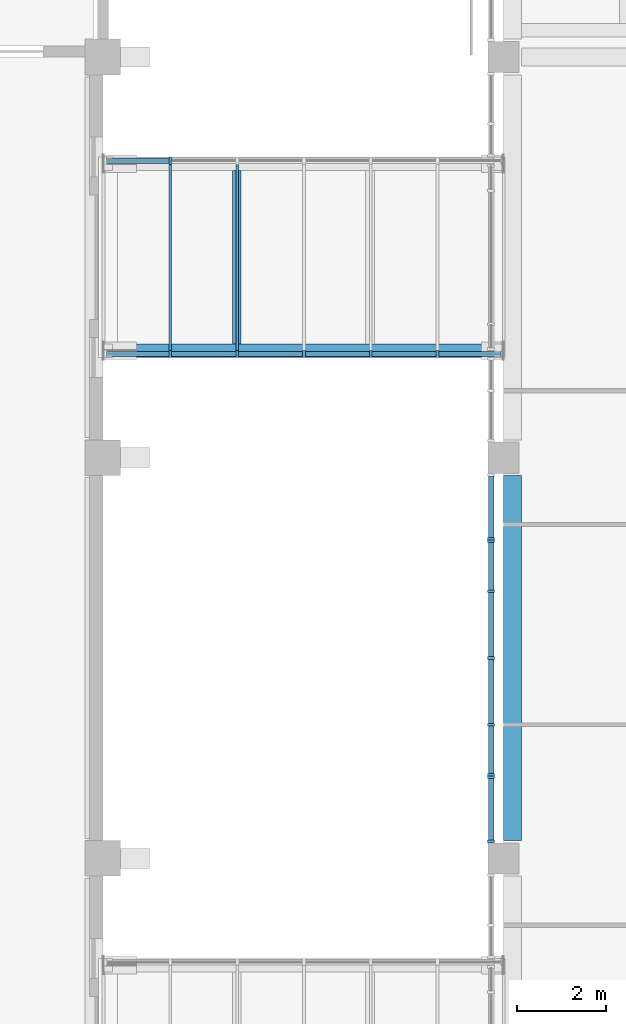
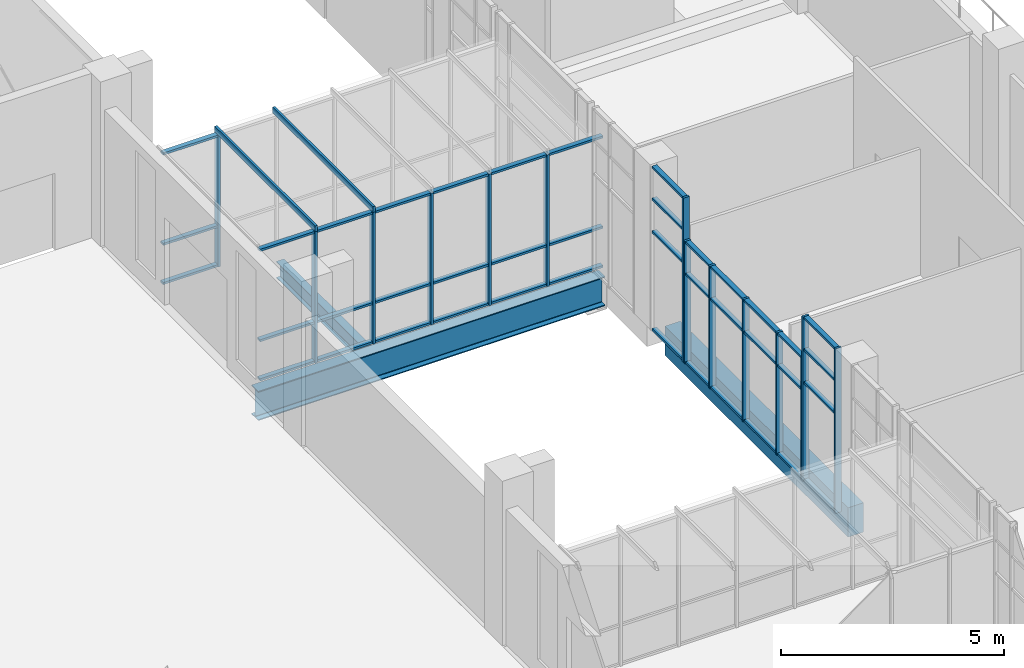
# One storey, part 16 of 106: 57 members, 3 beams, 6 elements without a shape of their own.
"""IFC4 building model written with IfcOpenShell, lengths in metres."""

import ifcopenshell
import ifcopenshell.guid

model = None  # the IFC model being written
_history = None  # IfcOwnerHistory: only IFC2X3 demands one
_inside = {}  # id of a spatial element -> (the spatial element, [elements in it])
_under = {}  # id of a project, library or spatial element -> (it, [spatial elements below it])
_declared = {}  # id of a project -> (the project, [libraries it declares])
_typed = {}  # id of a type object -> (the type object, [elements of that type])
_made_of = {}  # id of a material, layer set ... -> (it, [elements and type objects made of it])


def new_model(schema):
    """Start an empty IFC model of exactly this schema.

    Asked for "IFC4X3", IfcOpenShell would pick the latest addendum, in which some entities
    have other attributes; the version numbers below select the first issue.
    IFC2X3 requires an IfcOwnerHistory on every rooted entity: one is made here for all.
    """
    global model, _history
    if schema == "IFC4X3":
        model = ifcopenshell.file(schema_version=(4, 3, 0, 0))
    else:
        model = ifcopenshell.file(schema=schema)
    _inside.clear()
    _under.clear()
    _declared.clear()
    _typed.clear()
    _made_of.clear()
    _history = None
    if model.schema == "IFC2X3":
        org = make("IfcOrganization", Name="unknown")
        user = make(
            "IfcPersonAndOrganization",
            ThePerson=make("IfcPerson", FamilyName="unknown"),
            TheOrganization=org,
        )
        app = make(
            "IfcApplication",
            ApplicationDeveloper=org,
            Version="unknown",
            ApplicationFullName="unknown",
            ApplicationIdentifier="unknown",
        )
        _history = make(
            "IfcOwnerHistory",
            OwningUser=user,
            OwningApplication=app,
            ChangeAction="ADDED",
            CreationDate=0,
        )
    return model


def make(cls, **values):
    """One entity of the class cls with the attributes given. An attribute that is None is left unset."""
    return model.create_entity(
        cls, **{name: value for name, value in values.items() if value is not None}
    )


def rooted(cls, **values):
    """An entity with a GlobalId (a new one), such as an element, a storey or a relation."""
    return make(cls, GlobalId=ifcopenshell.guid.new(), OwnerHistory=_history, **values)


def si_unit(unit_type, name, prefix=None):
    """IfcSIUnit, for example si_unit("LENGTHUNIT", "METRE", prefix="MILLI")."""
    return make("IfcSIUnit", UnitType=unit_type, Prefix=prefix, Name=name)


def assignment(units):
    """IfcUnitAssignment: the units of a project."""
    return None if units is None else make("IfcUnitAssignment", Units=units)


def point(xyz):
    """IfcCartesianPoint."""
    return None if xyz is None else make("IfcCartesianPoint", Coordinates=xyz)


def direction(xyz):
    """IfcDirection."""
    return None if xyz is None else make("IfcDirection", DirectionRatios=xyz)


def frame(location, z_axis=None, x_axis=None):
    """IfcAxis2Placement3D, a coordinate frame: its origin and axes. An axis left out is left unset."""
    return make(
        "IfcAxis2Placement3D",
        Location=point(location),
        Axis=direction(z_axis),
        RefDirection=direction(x_axis),
    )


def frame_2d(location, x_axis=None):
    """IfcAxis2Placement2D, a coordinate frame in the plane: its origin and x axis."""
    return make(
        "IfcAxis2Placement2D", Location=point(location), RefDirection=direction(x_axis)
    )


def origin():
    """The frame at (0, 0, 0) with its axes left unset."""
    return frame((0.0, 0.0, 0.0))


def origin_2d():
    """The frame at (0, 0) in the plane with its x axis left unset."""
    return frame_2d((0.0, 0.0))


def place(relative_to, where):
    """IfcLocalPlacement: puts the frame where relative to a parent placement (None: the world)."""
    return make(
        "IfcLocalPlacement", PlacementRelTo=relative_to, RelativePlacement=where
    )


def context(
    kind, dimensions, precision=None, world=None, true_north=None, identifier=None
):
    """IfcGeometricRepresentationContext, for example the 3D "Model" context."""
    return make(
        "IfcGeometricRepresentationContext",
        ContextIdentifier=identifier,
        ContextType=kind,
        CoordinateSpaceDimension=dimensions,
        Precision=precision,
        WorldCoordinateSystem=world,
        TrueNorth=true_north,
    )


def subcontext(parent, identifier, kind, view, scale=None):
    """IfcGeometricRepresentationSubContext, for example "Body" below "Model"."""
    return make(
        "IfcGeometricRepresentationSubContext",
        ContextIdentifier=identifier,
        ContextType=kind,
        ParentContext=parent,
        TargetScale=scale,
        TargetView=view,
    )


def project(units=None, contexts=None):
    """IfcProject with its units and contexts."""
    return rooted(
        "IfcProject",
        Name="project",
        RepresentationContexts=contexts,
        UnitsInContext=assignment(units),
    )


def spatial(cls, under=None, at=None, **own):
    """A site, building, storey or space (cls), placed at a placement, below another one or the project."""
    s = rooted(cls, ObjectPlacement=at, **own)
    if under is not None:
        _under.setdefault(under.id(), (under, []))[1].append(s)
    return s


def profile(cls, at=None, kind="AREA", **sizes):
    """A parametric profile (cls). Its sizes go by their IFC names, for example OverallWidth=200.0."""
    return make(cls, ProfileType=kind, Position=at, **sizes)


def rectangle(**sizes):
    """IfcRectangleProfileDef."""
    return profile("IfcRectangleProfileDef", **sizes)


def i_section(**sizes):
    """IfcIShapeProfileDef."""
    return profile("IfcIShapeProfileDef", **sizes)


def extrude(swept, where, along, depth):
    """IfcExtrudedAreaSolid: the profile swept, set in the frame where, extruded along a direction by depth."""
    return make(
        "IfcExtrudedAreaSolid",
        SweptArea=swept,
        Position=where,
        ExtrudedDirection=direction(along),
        Depth=depth,
    )


def shape(context_of_items, identifier, shape_type, items):
    """IfcShapeRepresentation: the items that make up one representation, for example the "Body"."""
    return make(
        "IfcShapeRepresentation",
        ContextOfItems=context_of_items,
        RepresentationIdentifier=identifier,
        RepresentationType=shape_type,
        Items=items,
    )


def material(Name=None, Category=None):
    """IfcMaterial."""
    return make("IfcMaterial", Name=Name, Category=Category)


def layer(
    of_material, thickness, ventilated=None, Name=None, Category=None, Priority=None
):
    """IfcMaterialLayer: one layer of a wall or slab, of a material (None: an air gap)."""
    return make(
        "IfcMaterialLayer",
        Material=of_material,
        LayerThickness=thickness,
        IsVentilated=ventilated,
        Name=Name,
        Category=Category,
        Priority=Priority,
    )


def layer_set(layers, Name=None):
    """IfcMaterialLayerSet."""
    return make("IfcMaterialLayerSet", MaterialLayers=layers, LayerSetName=Name)


def material_profile(
    of_material, cross_section, Name=None, Category=None, Priority=None
):
    """IfcMaterialProfile: a cross section and its material."""
    return make(
        "IfcMaterialProfile",
        Name=Name,
        Material=of_material,
        Profile=cross_section,
        Priority=Priority,
        Category=Category,
    )


def profile_set(profiles, Name=None, composite=None):
    """IfcMaterialProfileSet."""
    return make(
        "IfcMaterialProfileSet",
        Name=Name,
        MaterialProfiles=profiles,
        CompositeProfile=composite,
    )


def made_of(thing, what):
    """Note that an element or type object is made of a material, layer set ...; save() writes the relation."""
    if what is not None:
        _made_of.setdefault(what.id(), (what, []))[1].append(thing)
    return thing


def type_object(cls, material=None, **own):
    """A type object (cls), such as IfcWallType, which elements share."""
    return made_of(rooted(cls, **own), material)


def element(
    cls,
    number,
    at=None,
    inside=None,
    cuts=None,
    type_object=None,
    material=None,
    context=None,
    identifier="Body",
    shape_type=None,
    held_by="IfcProductDefinitionShape",
    body=None,
    shapes=None,
    **own,
):
    """One element of the class cls, such as IfcWall. Its Tag is "e" and its number.

    at: its placement. inside: the storey or other place that contains it. cuts: it is an
    opening in that element (IfcRelVoidsElement). A single representation is given by context,
    identifier, shape_type and body (its items); several are given by shapes. held_by: the class
    of the entity that holds the representations. save() writes the other relations.
    """
    e = rooted(cls, Tag="e%d" % number, ObjectPlacement=at, **own)
    if body is not None:
        shapes = [shape(context, identifier, shape_type, body)]
    if shapes is not None:
        e.Representation = make(held_by, Representations=shapes)
    if inside is not None:
        _inside.setdefault(inside.id(), (inside, []))[1].append(e)
    if cuts is not None:
        rooted(
            "IfcRelVoidsElement", RelatingBuildingElement=cuts, RelatedOpeningElement=e
        )
    if type_object is not None:
        _typed.setdefault(type_object.id(), (type_object, []))[1].append(e)
    return made_of(e, material)


def aggregate(whole, parts):
    """IfcRelAggregates: a whole, such as a stair, and the parts it consists of."""
    return rooted("IfcRelAggregates", RelatingObject=whole, RelatedObjects=parts)


def save(model, path):
    """Write the relations noted so far, then the file.

    IfcRelAggregates (storeys below a building ...), IfcRelContainedInSpatialStructure (elements
    in a storey), IfcRelDefinesByType, IfcRelAssociatesMaterial and IfcRelDeclares: one each for
    every whole, place, type object, material and project.
    """
    for whole, parts in _under.values():
        aggregate(whole, parts)
    for where, things in _inside.values():
        rooted(
            "IfcRelContainedInSpatialStructure",
            RelatedElements=things,
            RelatingStructure=where,
        )
    for kind, things in _typed.values():
        rooted("IfcRelDefinesByType", RelatedObjects=things, RelatingType=kind)
    for what, things in _made_of.values():
        rooted("IfcRelAssociatesMaterial", RelatedObjects=things, RelatingMaterial=what)
    for by, libraries in _declared.values():
        rooted("IfcRelDeclares", RelatingContext=by, RelatedDefinitions=libraries)
    model.write(path)


model = new_model("IFC4")

# Units and contexts
model_context = context("Model", 3, precision=1e-05, world=origin(), true_north=direction((0.0, 1.0)))
body_context = subcontext(model_context, "Body", "Model", "MODEL_VIEW")
ifc_project = project(units=[si_unit("LENGTHUNIT", "METRE"), si_unit("AREAUNIT", "SQUARE_METRE"), si_unit("VOLUMEUNIT", "CUBIC_METRE"), si_unit("PLANEANGLEUNIT", "RADIAN"), si_unit("MASSUNIT", "GRAM", prefix="KILO")], contexts=[model_context])

# Site, building, storey
site_placement = place(None, origin())
site = spatial("IfcSite", under=ifc_project, at=site_placement, CompositionType="ELEMENT")
building_placement = place(site_placement, origin())
building = spatial("IfcBuilding", under=site, at=building_placement, Name="Guidao Yard Department Store", CompositionType="ELEMENT")
storey_placement = place(building_placement, frame((0.0, 0.0, 10.5)))
storey = spatial("IfcBuildingStorey", under=building, at=storey_placement, Name="L02", CompositionType="ELEMENT", Elevation=10.5)

# Beams
ifc_material_1 = material(Name="Concrete C40", Category="concrete")
ifc_material_profile_1 = material_profile(ifc_material_1, rectangle(XDim=0.39990234375, YDim=0.800048828125, at=origin_2d()), Name="Edge beam 400 x 800 C40")
ifc_profile_set_1 = profile_set([ifc_material_profile_1], Name="Concrete C40")
beam_type_1 = type_object("IfcBeamType", Name="Edge beam 400 x 800 C40", PredefinedType="BEAM", material=ifc_profile_set_1)
beam_1_placement = place(storey_placement, frame((72.199951171875, 63.39990234375, -0.39990234375), z_axis=(0.0, 1.0, 0.0), x_axis=(-1.0, 0.0, 0.0)))
element("IfcBeam", 1, at=beam_1_placement, inside=storey, type_object=beam_type_1, Name="Beam EB29", PredefinedType="BEAM", context=body_context, shape_type="SweptSolid", body=[
    extrude(rectangle(XDim=0.39990234375, YDim=0.800048828125, at=origin_2d()), origin(), (0.0, 0.0, 1.0), 8.2001953125),
])
ifc_material_2 = material(Name="Steel Q355B", Category="steel")
ifc_material_profile_2 = material_profile(ifc_material_2, i_section(OverallWidth=0.199951171875, OverallDepth=0.449951171875, WebThickness=0.009033203125, FlangeThickness=0.013916015625, FilletRadius=0.012939453125, at=origin_2d()), Name="HN 450x200x9x14")
ifc_profile_set_2 = profile_set([ifc_material_profile_2], Name="Steel Q355B")
beam_type_2 = type_object("IfcBeamType", Name="HN 450x200x9x14", PredefinedType="BEAM", material=ifc_profile_set_2)
beam_2_placement = place(storey_placement, frame((66.0048828125, 74.550048828125, -0.47509765625), z_axis=(0.0, 1.0, 0.0), x_axis=(-1.0, 0.0, 0.0)))
element("IfcBeam", 2, at=beam_2_placement, inside=storey, type_object=beam_type_2, Name="Bridge cross beam BR04-1", PredefinedType="BEAM", context=body_context, shape_type="SweptSolid", body=[
    extrude(i_section(OverallWidth=0.199951171875, OverallDepth=0.449951171875, WebThickness=0.009033203125, FlangeThickness=0.013916015625, FilletRadius=0.012939453125, at=origin_2d()), origin(), (0.0, 0.0, 1.0), 3.89990234375),
])
ifc_material_3 = material(Name="Steel Q355B", Category="steel")
ifc_material_profile_3 = material_profile(ifc_material_3, i_section(OverallWidth=0.300048828125, OverallDepth=0.800048828125, WebThickness=0.013916015625, FlangeThickness=0.02587890625, FilletRadius=0.01806640625, at=origin_2d()), Name="HN 800x300x14x26")
ifc_profile_set_3 = profile_set([ifc_material_profile_3], Name="Steel Q355B")
beam_type_3 = type_object("IfcBeamType", Name="HN 800x300x14x26", PredefinedType="BEAM", material=ifc_profile_set_3)
beam_3_placement = place(storey_placement, frame((63.014892578125, 74.39990234375, -0.64990234375), z_axis=(1.0, 0.0, 0.0), x_axis=(0.0, 1.0, 0.0)))
element("IfcBeam", 3, at=beam_3_placement, inside=storey, type_object=beam_type_3, Name="Bridge girder BR04S", PredefinedType="BEAM", context=body_context, shape_type="SweptSolid", body=[
    extrude(i_section(OverallWidth=0.300048828125, OverallDepth=0.800048828125, WebThickness=0.013916015625, FlangeThickness=0.02587890625, FilletRadius=0.01806640625, at=origin_2d()), origin(), (0.0, 0.0, 1.0), 8.97021484375),
])

# Curtain wall, members
ifc_material_4 = material(Name="Aluminium and glass", Category="aluminium")
ifc_layer_1 = layer(ifc_material_4, 0.159912109375)
ifc_layer_set_1 = layer_set([ifc_layer_1], Name="Shopfront curtain wall CW1 1500 module")
curtain_wall_type_1 = type_object("IfcCurtainWallType", Name="Shopfront curtain wall CW1 1500 module", PredefinedType="NOTDEFINED", material=ifc_layer_set_1)
curtain_wall_1_placement = place(storey_placement, origin())
curtain_wall_1 = element("IfcCurtainWall", 4, at=curtain_wall_1_placement, inside=storey, type_object=curtain_wall_type_1, Name="Arcade shop front", PredefinedType="NOTDEFINED")
ifc_material_5 = material(Name="Aluminium 6063-T5", Category="aluminium")
ifc_material_profile_4 = material_profile(ifc_material_5, rectangle(XDim=0.06005859375, YDim=0.159912109375, at=origin_2d()), Name="Mullion M1 60 x 160 aluminium pressure plate")
ifc_profile_set_4 = profile_set([ifc_material_profile_4], Name="Aluminium 6063-T5")
member_type_1 = type_object("IfcMemberType", Name="Mullion M1 60 x 160 aluminium pressure plate", PredefinedType="MULLION", material=ifc_profile_set_4)
member_1_placement = place(storey_placement, frame((71.719970703125, 63.3798828125, 0.0), z_axis=(0.0, 0.0, 1.0), x_axis=(0.0, 1.0, 0.0)))
member_1 = element("IfcMember", 5, at=member_1_placement, type_object=member_type_1, Name="CW-AS-L02-05 mullion 1", PredefinedType="MULLION", context=body_context, shape_type="SweptSolid", body=[
    extrude(rectangle(XDim=0.06005859375, YDim=0.159912109375, at=origin_2d()), origin(), (0.0, 0.0, 1.0), 4.5),
])
member_2_placement = place(storey_placement, frame((71.719970703125, 64.820068359375, 0.0), z_axis=(0.0, 0.0, 1.0), x_axis=(0.0, 1.0, 0.0)))
member_2 = element("IfcMember", 6, at=member_2_placement, type_object=member_type_1, Name="CW-AS-L02-05 mullion 2", PredefinedType="MULLION", context=body_context, shape_type="SweptSolid", body=[
    extrude(rectangle(XDim=0.06005859375, YDim=0.159912109375, at=origin_2d()), origin(), (0.0, 0.0, 1.0), 4.5),
])

curtain_wall_2_placement = place(storey_placement, origin())
curtain_wall_2 = element("IfcCurtainWall", 7, at=curtain_wall_2_placement, inside=storey, type_object=curtain_wall_type_1, Name="Arcade shop front", PredefinedType="NOTDEFINED")
member_3_placement = place(storey_placement, frame((71.719970703125, 64.8798828125, 0.0), z_axis=(0.0, 0.0, 1.0), x_axis=(0.0, 1.0, 0.0)))
member_3 = element("IfcMember", 8, at=member_3_placement, type_object=member_type_1, Name="CW-AS-L02-06 mullion 1", PredefinedType="MULLION", context=body_context, shape_type="SweptSolid", body=[
    extrude(rectangle(XDim=0.06005859375, YDim=0.159912109375, at=origin_2d()), origin(), (0.0, 0.0, 1.0), 3.35009765625),
])
member_4_placement = place(storey_placement, frame((71.719970703125, 66.0, 0.0), z_axis=(0.0, 0.0, 1.0), x_axis=(0.0, 1.0, 0.0)))
member_4 = element("IfcMember", 9, at=member_4_placement, type_object=member_type_1, Name="CW-AS-L02-06 mullion 2", PredefinedType="MULLION", context=body_context, shape_type="SweptSolid", body=[
    extrude(rectangle(XDim=0.06005859375, YDim=0.159912109375, at=origin_2d()), origin(), (0.0, 0.0, 1.0), 3.35009765625),
])
member_5_placement = place(storey_placement, frame((71.719970703125, 67.5, 0.0), z_axis=(0.0, 0.0, 1.0), x_axis=(0.0, 1.0, 0.0)))
member_5 = element("IfcMember", 10, at=member_5_placement, type_object=member_type_1, Name="CW-AS-L02-06 mullion 3", PredefinedType="MULLION", context=body_context, shape_type="SweptSolid", body=[
    extrude(rectangle(XDim=0.06005859375, YDim=0.159912109375, at=origin_2d()), origin(), (0.0, 0.0, 1.0), 3.35009765625),
])
member_6_placement = place(storey_placement, frame((71.719970703125, 69.0, 0.0), z_axis=(0.0, 0.0, 1.0), x_axis=(0.0, 1.0, 0.0)))
member_6 = element("IfcMember", 11, at=member_6_placement, type_object=member_type_1, Name="CW-AS-L02-06 mullion 4", PredefinedType="MULLION", context=body_context, shape_type="SweptSolid", body=[
    extrude(rectangle(XDim=0.06005859375, YDim=0.159912109375, at=origin_2d()), origin(), (0.0, 0.0, 1.0), 3.35009765625),
])
member_7_placement = place(storey_placement, frame((71.719970703125, 70.1201171875, 0.0), z_axis=(0.0, 0.0, 1.0), x_axis=(0.0, 1.0, 0.0)))
member_7 = element("IfcMember", 12, at=member_7_placement, type_object=member_type_1, Name="CW-AS-L02-06 mullion 5", PredefinedType="MULLION", context=body_context, shape_type="SweptSolid", body=[
    extrude(rectangle(XDim=0.06005859375, YDim=0.159912109375, at=origin_2d()), origin(), (0.0, 0.0, 1.0), 3.35009765625),
])

# Curtain wall, member
curtain_wall_3_placement = place(storey_placement, origin())
curtain_wall_3 = element("IfcCurtainWall", 13, at=curtain_wall_3_placement, inside=storey, type_object=curtain_wall_type_1, Name="Arcade shop front", PredefinedType="NOTDEFINED")
member_8_placement = place(storey_placement, frame((71.719970703125, 70.179931640625, 0.0), z_axis=(0.0, 0.0, 1.0), x_axis=(0.0, 1.0, 0.0)))
member_8 = element("IfcMember", 14, at=member_8_placement, type_object=member_type_1, Name="CW-AS-L02-07 mullion 1", PredefinedType="MULLION", context=body_context, shape_type="SweptSolid", body=[
    extrude(rectangle(XDim=0.06005859375, YDim=0.159912109375, at=origin_2d()), origin(), (0.0, 0.0, 1.0), 4.5),
])

# Curtain wall, members
ifc_material_6 = material(Name="Aluminium and glass", Category="aluminium")
ifc_layer_2 = layer(ifc_material_6, 0.159912109375)
ifc_layer_set_2 = layer_set([ifc_layer_2], Name="Bridge glazing CW5 1500 module")
curtain_wall_type_2 = type_object("IfcCurtainWallType", Name="Bridge glazing CW5 1500 module", PredefinedType="NOTDEFINED", material=ifc_layer_set_2)
curtain_wall_4_placement = place(storey_placement, origin())
curtain_wall_4 = element("IfcCurtainWall", 15, at=curtain_wall_4_placement, inside=storey, type_object=curtain_wall_type_2, Name="Bridge glazing BR04 S", PredefinedType="NOTDEFINED")
member_9_placement = place(storey_placement, frame((64.514892578125, 74.330078125, 0.0), z_axis=(0.0, 0.0, 1.0), x_axis=(-1.0, 0.0, 0.0)))
member_9 = element("IfcMember", 16, at=member_9_placement, type_object=member_type_1, Name="CW-S-L02-03 mullion 2", PredefinedType="MULLION", context=body_context, shape_type="SweptSolid", body=[
    extrude(rectangle(XDim=0.06005859375, YDim=0.159912109375, at=origin_2d()), origin(), (0.0, 0.0, 1.0), 3.60009765625),
])
member_10_placement = place(storey_placement, frame((66.014892578125, 74.330078125, 0.0), z_axis=(0.0, 0.0, 1.0), x_axis=(-1.0, 0.0, 0.0)))
member_10 = element("IfcMember", 17, at=member_10_placement, type_object=member_type_1, Name="CW-S-L02-03 mullion 3", PredefinedType="MULLION", context=body_context, shape_type="SweptSolid", body=[
    extrude(rectangle(XDim=0.06005859375, YDim=0.159912109375, at=origin_2d()), origin(), (0.0, 0.0, 1.0), 3.60009765625),
])
member_11_placement = place(storey_placement, frame((67.514892578125, 74.330078125, 0.0), z_axis=(0.0, 0.0, 1.0), x_axis=(-1.0, 0.0, 0.0)))
member_11 = element("IfcMember", 18, at=member_11_placement, type_object=member_type_1, Name="CW-S-L02-03 mullion 4", PredefinedType="MULLION", context=body_context, shape_type="SweptSolid", body=[
    extrude(rectangle(XDim=0.06005859375, YDim=0.159912109375, at=origin_2d()), origin(), (0.0, 0.0, 1.0), 3.60009765625),
])
member_12_placement = place(storey_placement, frame((69.014892578125, 74.330078125, 0.0), z_axis=(0.0, 0.0, 1.0), x_axis=(-1.0, 0.0, 0.0)))
member_12 = element("IfcMember", 19, at=member_12_placement, type_object=member_type_1, Name="CW-S-L02-03 mullion 5", PredefinedType="MULLION", context=body_context, shape_type="SweptSolid", body=[
    extrude(rectangle(XDim=0.06005859375, YDim=0.159912109375, at=origin_2d()), origin(), (0.0, 0.0, 1.0), 3.60009765625),
])
member_13_placement = place(storey_placement, frame((70.514892578125, 74.330078125, 0.0), z_axis=(0.0, 0.0, 1.0), x_axis=(-1.0, 0.0, 0.0)))
member_13 = element("IfcMember", 20, at=member_13_placement, type_object=member_type_1, Name="CW-S-L02-03 mullion 6", PredefinedType="MULLION", context=body_context, shape_type="SweptSolid", body=[
    extrude(rectangle(XDim=0.06005859375, YDim=0.159912109375, at=origin_2d()), origin(), (0.0, 0.0, 1.0), 3.60009765625),
])

# Curtain wall, member
curtain_wall_5_placement = place(storey_placement, origin())
curtain_wall_5 = element("IfcCurtainWall", 21, at=curtain_wall_5_placement, inside=storey, type_object=curtain_wall_type_2, Name="Bridge glazing BR04 N", PredefinedType="NOTDEFINED")
member_14_placement = place(storey_placement, frame((64.514892578125, 78.669921875, 0.0), z_axis=(0.0, 0.0, 1.0), x_axis=(1.0, 0.0, 0.0)))
member_14 = element("IfcMember", 22, at=member_14_placement, type_object=member_type_1, Name="CW-N-L02-04 mullion 2", PredefinedType="MULLION", context=body_context, shape_type="SweptSolid", body=[
    extrude(rectangle(XDim=0.06005859375, YDim=0.159912109375, at=origin_2d()), origin(), (0.0, 0.0, 1.0), 3.60009765625),
])

# Curtain wall, members
curtain_wall_6_placement = place(storey_placement, origin())
curtain_wall_6 = element("IfcCurtainWall", 23, at=curtain_wall_6_placement, inside=storey, type_object=curtain_wall_type_2, Name="Bridge roof glazing BR04", PredefinedType="NOTDEFINED")
ifc_material_7 = material(Name="Aluminium 6063-T5", Category="aluminium")
ifc_material_profile_5 = material_profile(ifc_material_7, rectangle(XDim=0.06005859375, YDim=0.159912109375, at=origin_2d()), Name="Roof bar RB1 60 x 160 aluminium")
ifc_profile_set_5 = profile_set([ifc_material_profile_5], Name="Aluminium 6063-T5")
member_type_2 = type_object("IfcMemberType", Name="Roof bar RB1 60 x 160 aluminium", PredefinedType="USERDEFINED", material=ifc_profile_set_5)
member_15_placement = place(storey_placement, frame((64.514892578125, 74.25, 3.679931640625), z_axis=(0.0, 1.0, 0.0), x_axis=(-1.0, 0.0, 0.0)))
member_15 = element("IfcMember", 24, at=member_15_placement, type_object=member_type_2, Name="Bridge roof bar BR04", ObjectType="TRANSOM", PredefinedType="USERDEFINED", context=body_context, shape_type="SweptSolid", body=[
    extrude(rectangle(XDim=0.06005859375, YDim=0.159912109375, at=origin_2d()), origin(), (0.0, 0.0, 1.0), 4.5),
])
member_16_placement = place(storey_placement, frame((66.014892578125, 74.25, 3.679931640625), z_axis=(0.0, 1.0, 0.0), x_axis=(-1.0, 0.0, 0.0)))
member_16 = element("IfcMember", 25, at=member_16_placement, type_object=member_type_2, Name="Bridge roof bar BR04", ObjectType="TRANSOM", PredefinedType="USERDEFINED", context=body_context, shape_type="SweptSolid", body=[
    extrude(rectangle(XDim=0.06005859375, YDim=0.159912109375, at=origin_2d()), origin(), (0.0, 0.0, 1.0), 4.5),
])
aggregate(curtain_wall_6, [member_15, member_16])

# Member
ifc_material_8 = material(Name="Aluminium 6063-T5", Category="aluminium")
ifc_material_profile_6 = material_profile(ifc_material_8, rectangle(XDim=0.1201171875, YDim=0.06005859375, at=origin_2d()), Name="Transom T1 60 x 120 aluminium pressure plate")
ifc_profile_set_6 = profile_set([ifc_material_profile_6], Name="Aluminium 6063-T5")
member_type_3 = type_object("IfcMemberType", Name="Transom T1 60 x 120 aluminium pressure plate", PredefinedType="USERDEFINED", material=ifc_profile_set_6)
member_17_placement = place(storey_placement, frame((71.719970703125, 63.409912109375, 0.030029296875), z_axis=(0.0, 1.0, 0.0), x_axis=(-1.0, 0.0, 0.0)))
member_17 = element("IfcMember", 26, at=member_17_placement, type_object=member_type_3, Name="CW-AS-L02-05 transom 1.1", ObjectType="TRANSOM", PredefinedType="USERDEFINED", context=body_context, shape_type="SweptSolid", body=[
    extrude(rectangle(XDim=0.1201171875, YDim=0.06005859375, at=origin_2d()), origin(), (0.0, 0.0, 1.0), 1.380126953125),
])

member_18_placement = place(storey_placement, frame((71.719970703125, 63.409912109375, 2.699951171875), z_axis=(0.0, 1.0, 0.0), x_axis=(-1.0, 0.0, 0.0)))
member_18 = element("IfcMember", 27, at=member_18_placement, type_object=member_type_3, Name="CW-AS-L02-05 transom 1.2", ObjectType="TRANSOM", PredefinedType="USERDEFINED", context=body_context, shape_type="SweptSolid", body=[
    extrude(rectangle(XDim=0.1201171875, YDim=0.06005859375, at=origin_2d()), origin(), (0.0, 0.0, 1.0), 1.380126953125),
])

member_19_placement = place(storey_placement, frame((71.719970703125, 63.409912109375, 3.60009765625), z_axis=(0.0, 1.0, 0.0), x_axis=(-1.0, 0.0, 0.0)))
member_19 = element("IfcMember", 28, at=member_19_placement, type_object=member_type_3, Name="CW-AS-L02-05 transom 1.3", ObjectType="TRANSOM", PredefinedType="USERDEFINED", context=body_context, shape_type="SweptSolid", body=[
    extrude(rectangle(XDim=0.1201171875, YDim=0.06005859375, at=origin_2d()), origin(), (0.0, 0.0, 1.0), 1.380126953125),
])

member_20_placement = place(storey_placement, frame((71.719970703125, 63.409912109375, 4.469970703125), z_axis=(0.0, 1.0, 0.0), x_axis=(-1.0, 0.0, 0.0)))
member_20 = element("IfcMember", 29, at=member_20_placement, type_object=member_type_3, Name="CW-AS-L02-05 transom 1.4", ObjectType="TRANSOM", PredefinedType="USERDEFINED", context=body_context, shape_type="SweptSolid", body=[
    extrude(rectangle(XDim=0.1201171875, YDim=0.06005859375, at=origin_2d()), origin(), (0.0, 0.0, 1.0), 1.380126953125),
])

aggregate(curtain_wall_1, [member_1, member_2, member_17, member_18, member_19, member_20])

member_21_placement = place(storey_placement, frame((71.719970703125, 64.909912109375, 0.030029296875), z_axis=(0.0, 1.0, 0.0), x_axis=(-1.0, 0.0, 0.0)))
member_21 = element("IfcMember", 30, at=member_21_placement, type_object=member_type_3, Name="CW-AS-L02-06 transom 1.1", ObjectType="TRANSOM", PredefinedType="USERDEFINED", context=body_context, shape_type="SweptSolid", body=[
    extrude(rectangle(XDim=0.1201171875, YDim=0.06005859375, at=origin_2d()), origin(), (0.0, 0.0, 1.0), 1.06005859375),
])

member_22_placement = place(storey_placement, frame((71.719970703125, 64.909912109375, 2.449951171875), z_axis=(0.0, 1.0, 0.0), x_axis=(-1.0, 0.0, 0.0)))
member_22 = element("IfcMember", 31, at=member_22_placement, type_object=member_type_3, Name="CW-AS-L02-06 transom 1.2", ObjectType="TRANSOM", PredefinedType="USERDEFINED", context=body_context, shape_type="SweptSolid", body=[
    extrude(rectangle(XDim=0.1201171875, YDim=0.06005859375, at=origin_2d()), origin(), (0.0, 0.0, 1.0), 1.06005859375),
])

member_23_placement = place(storey_placement, frame((71.719970703125, 64.909912109375, 3.320068359375), z_axis=(0.0, 1.0, 0.0), x_axis=(-1.0, 0.0, 0.0)))
member_23 = element("IfcMember", 32, at=member_23_placement, type_object=member_type_3, Name="CW-AS-L02-06 transom 1.3", ObjectType="TRANSOM", PredefinedType="USERDEFINED", context=body_context, shape_type="SweptSolid", body=[
    extrude(rectangle(XDim=0.1201171875, YDim=0.06005859375, at=origin_2d()), origin(), (0.0, 0.0, 1.0), 1.06005859375),
])

member_24_placement = place(storey_placement, frame((71.719970703125, 66.030029296875, 0.030029296875), z_axis=(0.0, 1.0, 0.0), x_axis=(-1.0, 0.0, 0.0)))
member_24 = element("IfcMember", 33, at=member_24_placement, type_object=member_type_3, Name="CW-AS-L02-06 transom 2.1", ObjectType="TRANSOM", PredefinedType="USERDEFINED", context=body_context, shape_type="SweptSolid", body=[
    extrude(rectangle(XDim=0.1201171875, YDim=0.06005859375, at=origin_2d()), origin(), (0.0, 0.0, 1.0), 1.43994140625),
])

member_25_placement = place(storey_placement, frame((71.719970703125, 66.030029296875, 2.449951171875), z_axis=(0.0, 1.0, 0.0), x_axis=(-1.0, 0.0, 0.0)))
member_25 = element("IfcMember", 34, at=member_25_placement, type_object=member_type_3, Name="CW-AS-L02-06 transom 2.2", ObjectType="TRANSOM", PredefinedType="USERDEFINED", context=body_context, shape_type="SweptSolid", body=[
    extrude(rectangle(XDim=0.1201171875, YDim=0.06005859375, at=origin_2d()), origin(), (0.0, 0.0, 1.0), 1.43994140625),
])

member_26_placement = place(storey_placement, frame((71.719970703125, 66.030029296875, 3.320068359375), z_axis=(0.0, 1.0, 0.0), x_axis=(-1.0, 0.0, 0.0)))
member_26 = element("IfcMember", 35, at=member_26_placement, type_object=member_type_3, Name="CW-AS-L02-06 transom 2.3", ObjectType="TRANSOM", PredefinedType="USERDEFINED", context=body_context, shape_type="SweptSolid", body=[
    extrude(rectangle(XDim=0.1201171875, YDim=0.06005859375, at=origin_2d()), origin(), (0.0, 0.0, 1.0), 1.43994140625),
])

member_27_placement = place(storey_placement, frame((71.719970703125, 67.530029296875, 0.030029296875), z_axis=(0.0, 1.0, 0.0), x_axis=(-1.0, 0.0, 0.0)))
member_27 = element("IfcMember", 36, at=member_27_placement, type_object=member_type_3, Name="CW-AS-L02-06 transom 3.1", ObjectType="TRANSOM", PredefinedType="USERDEFINED", context=body_context, shape_type="SweptSolid", body=[
    extrude(rectangle(XDim=0.1201171875, YDim=0.06005859375, at=origin_2d()), origin(), (0.0, 0.0, 1.0), 1.43994140625),
])

member_28_placement = place(storey_placement, frame((71.719970703125, 67.530029296875, 2.449951171875), z_axis=(0.0, 1.0, 0.0), x_axis=(-1.0, 0.0, 0.0)))
member_28 = element("IfcMember", 37, at=member_28_placement, type_object=member_type_3, Name="CW-AS-L02-06 transom 3.2", ObjectType="TRANSOM", PredefinedType="USERDEFINED", context=body_context, shape_type="SweptSolid", body=[
    extrude(rectangle(XDim=0.1201171875, YDim=0.06005859375, at=origin_2d()), origin(), (0.0, 0.0, 1.0), 1.43994140625),
])

member_29_placement = place(storey_placement, frame((71.719970703125, 67.530029296875, 3.320068359375), z_axis=(0.0, 1.0, 0.0), x_axis=(-1.0, 0.0, 0.0)))
member_29 = element("IfcMember", 38, at=member_29_placement, type_object=member_type_3, Name="CW-AS-L02-06 transom 3.3", ObjectType="TRANSOM", PredefinedType="USERDEFINED", context=body_context, shape_type="SweptSolid", body=[
    extrude(rectangle(XDim=0.1201171875, YDim=0.06005859375, at=origin_2d()), origin(), (0.0, 0.0, 1.0), 1.43994140625),
])

member_30_placement = place(storey_placement, frame((71.719970703125, 69.030029296875, 0.030029296875), z_axis=(0.0, 1.0, 0.0), x_axis=(-1.0, 0.0, 0.0)))
member_30 = element("IfcMember", 39, at=member_30_placement, type_object=member_type_3, Name="CW-AS-L02-06 transom 4.1", ObjectType="TRANSOM", PredefinedType="USERDEFINED", context=body_context, shape_type="SweptSolid", body=[
    extrude(rectangle(XDim=0.1201171875, YDim=0.06005859375, at=origin_2d()), origin(), (0.0, 0.0, 1.0), 1.06005859375),
])

member_31_placement = place(storey_placement, frame((71.719970703125, 69.030029296875, 2.449951171875), z_axis=(0.0, 1.0, 0.0), x_axis=(-1.0, 0.0, 0.0)))
member_31 = element("IfcMember", 40, at=member_31_placement, type_object=member_type_3, Name="CW-AS-L02-06 transom 4.2", ObjectType="TRANSOM", PredefinedType="USERDEFINED", context=body_context, shape_type="SweptSolid", body=[
    extrude(rectangle(XDim=0.1201171875, YDim=0.06005859375, at=origin_2d()), origin(), (0.0, 0.0, 1.0), 1.06005859375),
])

member_32_placement = place(storey_placement, frame((71.719970703125, 69.030029296875, 3.320068359375), z_axis=(0.0, 1.0, 0.0), x_axis=(-1.0, 0.0, 0.0)))
member_32 = element("IfcMember", 41, at=member_32_placement, type_object=member_type_3, Name="CW-AS-L02-06 transom 4.3", ObjectType="TRANSOM", PredefinedType="USERDEFINED", context=body_context, shape_type="SweptSolid", body=[
    extrude(rectangle(XDim=0.1201171875, YDim=0.06005859375, at=origin_2d()), origin(), (0.0, 0.0, 1.0), 1.06005859375),
])

aggregate(curtain_wall_2, [member_3, member_4, member_5, member_6, member_7, member_21, member_22, member_23, member_24, member_25, member_26, member_27, member_28, member_29, member_30, member_31, member_32])

member_33_placement = place(storey_placement, frame((71.719970703125, 70.2099609375, 0.030029296875), z_axis=(0.0, 1.0, 0.0), x_axis=(-1.0, 0.0, 0.0)))
member_33 = element("IfcMember", 42, at=member_33_placement, type_object=member_type_3, Name="CW-AS-L02-07 transom 1.1", ObjectType="TRANSOM", PredefinedType="USERDEFINED", context=body_context, shape_type="SweptSolid", body=[
    extrude(rectangle(XDim=0.1201171875, YDim=0.06005859375, at=origin_2d()), origin(), (0.0, 0.0, 1.0), 1.380126953125),
])

member_34_placement = place(storey_placement, frame((71.719970703125, 70.2099609375, 2.699951171875), z_axis=(0.0, 1.0, 0.0), x_axis=(-1.0, 0.0, 0.0)))
member_34 = element("IfcMember", 43, at=member_34_placement, type_object=member_type_3, Name="CW-AS-L02-07 transom 1.2", ObjectType="TRANSOM", PredefinedType="USERDEFINED", context=body_context, shape_type="SweptSolid", body=[
    extrude(rectangle(XDim=0.1201171875, YDim=0.06005859375, at=origin_2d()), origin(), (0.0, 0.0, 1.0), 1.380126953125),
])

member_35_placement = place(storey_placement, frame((71.719970703125, 70.2099609375, 3.60009765625), z_axis=(0.0, 1.0, 0.0), x_axis=(-1.0, 0.0, 0.0)))
member_35 = element("IfcMember", 44, at=member_35_placement, type_object=member_type_3, Name="CW-AS-L02-07 transom 1.3", ObjectType="TRANSOM", PredefinedType="USERDEFINED", context=body_context, shape_type="SweptSolid", body=[
    extrude(rectangle(XDim=0.1201171875, YDim=0.06005859375, at=origin_2d()), origin(), (0.0, 0.0, 1.0), 1.380126953125),
])

member_36_placement = place(storey_placement, frame((71.719970703125, 70.2099609375, 4.469970703125), z_axis=(0.0, 1.0, 0.0), x_axis=(-1.0, 0.0, 0.0)))
member_36 = element("IfcMember", 45, at=member_36_placement, type_object=member_type_3, Name="CW-AS-L02-07 transom 1.4", ObjectType="TRANSOM", PredefinedType="USERDEFINED", context=body_context, shape_type="SweptSolid", body=[
    extrude(rectangle(XDim=0.1201171875, YDim=0.06005859375, at=origin_2d()), origin(), (0.0, 0.0, 1.0), 1.380126953125),
])

aggregate(curtain_wall_3, [member_8, member_33, member_34, member_35, member_36])

member_37_placement = place(storey_placement, frame((64.485107421875, 74.330078125, 0.030029296875), z_axis=(-1.0, 0.0, 0.0), x_axis=(0.0, -1.0, 0.0)))
member_37 = element("IfcMember", 46, at=member_37_placement, type_object=member_type_3, Name="CW-S-L02-03 transom 1.1", ObjectType="TRANSOM", PredefinedType="USERDEFINED", context=body_context, shape_type="SweptSolid", body=[
    extrude(rectangle(XDim=0.1201171875, YDim=0.06005859375, at=origin_2d()), origin(), (0.0, 0.0, 1.0), 1.41015625),
])

member_38_placement = place(storey_placement, frame((64.485107421875, 74.330078125, 1.10009765625), z_axis=(-1.0, 0.0, 0.0), x_axis=(0.0, -1.0, 0.0)))
member_38 = element("IfcMember", 47, at=member_38_placement, type_object=member_type_3, Name="CW-S-L02-03 transom 1.2", ObjectType="TRANSOM", PredefinedType="USERDEFINED", context=body_context, shape_type="SweptSolid", body=[
    extrude(rectangle(XDim=0.1201171875, YDim=0.06005859375, at=origin_2d()), origin(), (0.0, 0.0, 1.0), 1.41015625),
])

member_39_placement = place(storey_placement, frame((64.485107421875, 74.330078125, 3.570068359375), z_axis=(-1.0, 0.0, 0.0), x_axis=(0.0, -1.0, 0.0)))
member_39 = element("IfcMember", 48, at=member_39_placement, type_object=member_type_3, Name="CW-S-L02-03 transom 1.3", ObjectType="TRANSOM", PredefinedType="USERDEFINED", context=body_context, shape_type="SweptSolid", body=[
    extrude(rectangle(XDim=0.1201171875, YDim=0.06005859375, at=origin_2d()), origin(), (0.0, 0.0, 1.0), 1.41015625),
])

member_40_placement = place(storey_placement, frame((65.985107421875, 74.330078125, 0.030029296875), z_axis=(-1.0, 0.0, 0.0), x_axis=(0.0, -1.0, 0.0)))
member_40 = element("IfcMember", 49, at=member_40_placement, type_object=member_type_3, Name="CW-S-L02-03 transom 2.1", ObjectType="TRANSOM", PredefinedType="USERDEFINED", context=body_context, shape_type="SweptSolid", body=[
    extrude(rectangle(XDim=0.1201171875, YDim=0.06005859375, at=origin_2d()), origin(), (0.0, 0.0, 1.0), 1.440185546875),
])

member_41_placement = place(storey_placement, frame((65.985107421875, 74.330078125, 1.10009765625), z_axis=(-1.0, 0.0, 0.0), x_axis=(0.0, -1.0, 0.0)))
member_41 = element("IfcMember", 50, at=member_41_placement, type_object=member_type_3, Name="CW-S-L02-03 transom 2.2", ObjectType="TRANSOM", PredefinedType="USERDEFINED", context=body_context, shape_type="SweptSolid", body=[
    extrude(rectangle(XDim=0.1201171875, YDim=0.06005859375, at=origin_2d()), origin(), (0.0, 0.0, 1.0), 1.440185546875),
])

member_42_placement = place(storey_placement, frame((65.985107421875, 74.330078125, 3.570068359375), z_axis=(-1.0, 0.0, 0.0), x_axis=(0.0, -1.0, 0.0)))
member_42 = element("IfcMember", 51, at=member_42_placement, type_object=member_type_3, Name="CW-S-L02-03 transom 2.3", ObjectType="TRANSOM", PredefinedType="USERDEFINED", context=body_context, shape_type="SweptSolid", body=[
    extrude(rectangle(XDim=0.1201171875, YDim=0.06005859375, at=origin_2d()), origin(), (0.0, 0.0, 1.0), 1.440185546875),
])

member_43_placement = place(storey_placement, frame((67.485107421875, 74.330078125, 0.030029296875), z_axis=(-1.0, 0.0, 0.0), x_axis=(0.0, -1.0, 0.0)))
member_43 = element("IfcMember", 52, at=member_43_placement, type_object=member_type_3, Name="CW-S-L02-03 transom 3.1", ObjectType="TRANSOM", PredefinedType="USERDEFINED", context=body_context, shape_type="SweptSolid", body=[
    extrude(rectangle(XDim=0.1201171875, YDim=0.06005859375, at=origin_2d()), origin(), (0.0, 0.0, 1.0), 1.440185546875),
])

member_44_placement = place(storey_placement, frame((67.485107421875, 74.330078125, 1.10009765625), z_axis=(-1.0, 0.0, 0.0), x_axis=(0.0, -1.0, 0.0)))
member_44 = element("IfcMember", 53, at=member_44_placement, type_object=member_type_3, Name="CW-S-L02-03 transom 3.2", ObjectType="TRANSOM", PredefinedType="USERDEFINED", context=body_context, shape_type="SweptSolid", body=[
    extrude(rectangle(XDim=0.1201171875, YDim=0.06005859375, at=origin_2d()), origin(), (0.0, 0.0, 1.0), 1.440185546875),
])

member_45_placement = place(storey_placement, frame((67.485107421875, 74.330078125, 3.570068359375), z_axis=(-1.0, 0.0, 0.0), x_axis=(0.0, -1.0, 0.0)))
member_45 = element("IfcMember", 54, at=member_45_placement, type_object=member_type_3, Name="CW-S-L02-03 transom 3.3", ObjectType="TRANSOM", PredefinedType="USERDEFINED", context=body_context, shape_type="SweptSolid", body=[
    extrude(rectangle(XDim=0.1201171875, YDim=0.06005859375, at=origin_2d()), origin(), (0.0, 0.0, 1.0), 1.440185546875),
])

member_46_placement = place(storey_placement, frame((68.985107421875, 74.330078125, 0.030029296875), z_axis=(-1.0, 0.0, 0.0), x_axis=(0.0, -1.0, 0.0)))
member_46 = element("IfcMember", 55, at=member_46_placement, type_object=member_type_3, Name="CW-S-L02-03 transom 4.1", ObjectType="TRANSOM", PredefinedType="USERDEFINED", context=body_context, shape_type="SweptSolid", body=[
    extrude(rectangle(XDim=0.1201171875, YDim=0.06005859375, at=origin_2d()), origin(), (0.0, 0.0, 1.0), 1.440185546875),
])

member_47_placement = place(storey_placement, frame((68.985107421875, 74.330078125, 1.10009765625), z_axis=(-1.0, 0.0, 0.0), x_axis=(0.0, -1.0, 0.0)))
member_47 = element("IfcMember", 56, at=member_47_placement, type_object=member_type_3, Name="CW-S-L02-03 transom 4.2", ObjectType="TRANSOM", PredefinedType="USERDEFINED", context=body_context, shape_type="SweptSolid", body=[
    extrude(rectangle(XDim=0.1201171875, YDim=0.06005859375, at=origin_2d()), origin(), (0.0, 0.0, 1.0), 1.440185546875),
])

member_48_placement = place(storey_placement, frame((68.985107421875, 74.330078125, 3.570068359375), z_axis=(-1.0, 0.0, 0.0), x_axis=(0.0, -1.0, 0.0)))
member_48 = element("IfcMember", 57, at=member_48_placement, type_object=member_type_3, Name="CW-S-L02-03 transom 4.3", ObjectType="TRANSOM", PredefinedType="USERDEFINED", context=body_context, shape_type="SweptSolid", body=[
    extrude(rectangle(XDim=0.1201171875, YDim=0.06005859375, at=origin_2d()), origin(), (0.0, 0.0, 1.0), 1.440185546875),
])

member_49_placement = place(storey_placement, frame((70.485107421875, 74.330078125, 0.030029296875), z_axis=(-1.0, 0.0, 0.0), x_axis=(0.0, -1.0, 0.0)))
member_49 = element("IfcMember", 58, at=member_49_placement, type_object=member_type_3, Name="CW-S-L02-03 transom 5.1", ObjectType="TRANSOM", PredefinedType="USERDEFINED", context=body_context, shape_type="SweptSolid", body=[
    extrude(rectangle(XDim=0.1201171875, YDim=0.06005859375, at=origin_2d()), origin(), (0.0, 0.0, 1.0), 1.440185546875),
])

member_50_placement = place(storey_placement, frame((70.485107421875, 74.330078125, 1.10009765625), z_axis=(-1.0, 0.0, 0.0), x_axis=(0.0, -1.0, 0.0)))
member_50 = element("IfcMember", 59, at=member_50_placement, type_object=member_type_3, Name="CW-S-L02-03 transom 5.2", ObjectType="TRANSOM", PredefinedType="USERDEFINED", context=body_context, shape_type="SweptSolid", body=[
    extrude(rectangle(XDim=0.1201171875, YDim=0.06005859375, at=origin_2d()), origin(), (0.0, 0.0, 1.0), 1.440185546875),
])

member_51_placement = place(storey_placement, frame((70.485107421875, 74.330078125, 3.570068359375), z_axis=(-1.0, 0.0, 0.0), x_axis=(0.0, -1.0, 0.0)))
member_51 = element("IfcMember", 60, at=member_51_placement, type_object=member_type_3, Name="CW-S-L02-03 transom 5.3", ObjectType="TRANSOM", PredefinedType="USERDEFINED", context=body_context, shape_type="SweptSolid", body=[
    extrude(rectangle(XDim=0.1201171875, YDim=0.06005859375, at=origin_2d()), origin(), (0.0, 0.0, 1.0), 1.440185546875),
])

member_52_placement = place(storey_placement, frame((71.93994140625, 74.330078125, 0.030029296875), z_axis=(-1.0, 0.0, 0.0), x_axis=(0.0, -1.0, 0.0)))
member_52 = element("IfcMember", 61, at=member_52_placement, type_object=member_type_3, Name="CW-S-L02-03 transom 6.1", ObjectType="TRANSOM", PredefinedType="USERDEFINED", context=body_context, shape_type="SweptSolid", body=[
    extrude(rectangle(XDim=0.1201171875, YDim=0.06005859375, at=origin_2d()), origin(), (0.0, 0.0, 1.0), 1.39501953125),
])

member_53_placement = place(storey_placement, frame((71.93994140625, 74.330078125, 1.10009765625), z_axis=(-1.0, 0.0, 0.0), x_axis=(0.0, -1.0, 0.0)))
member_53 = element("IfcMember", 62, at=member_53_placement, type_object=member_type_3, Name="CW-S-L02-03 transom 6.2", ObjectType="TRANSOM", PredefinedType="USERDEFINED", context=body_context, shape_type="SweptSolid", body=[
    extrude(rectangle(XDim=0.1201171875, YDim=0.06005859375, at=origin_2d()), origin(), (0.0, 0.0, 1.0), 1.39501953125),
])

member_54_placement = place(storey_placement, frame((71.93994140625, 74.330078125, 3.570068359375), z_axis=(-1.0, 0.0, 0.0), x_axis=(0.0, -1.0, 0.0)))
member_54 = element("IfcMember", 63, at=member_54_placement, type_object=member_type_3, Name="CW-S-L02-03 transom 6.3", ObjectType="TRANSOM", PredefinedType="USERDEFINED", context=body_context, shape_type="SweptSolid", body=[
    extrude(rectangle(XDim=0.1201171875, YDim=0.06005859375, at=origin_2d()), origin(), (0.0, 0.0, 1.0), 1.39501953125),
])

aggregate(curtain_wall_4, [member_9, member_10, member_11, member_12, member_13, member_37, member_38, member_39, member_40, member_41, member_42, member_43, member_44, member_45, member_46, member_47, member_48, member_49, member_50, member_51, member_52, member_53, member_54])

member_55_placement = place(storey_placement, frame((63.074951171875, 78.669921875, 0.030029296875), z_axis=(1.0, 0.0, 0.0), x_axis=(0.0, 1.0, 0.0)))
member_55 = element("IfcMember", 64, at=member_55_placement, type_object=member_type_3, Name="CW-N-L02-04 transom 1.1", ObjectType="TRANSOM", PredefinedType="USERDEFINED", context=body_context, shape_type="SweptSolid", body=[
    extrude(rectangle(XDim=0.1201171875, YDim=0.06005859375, at=origin_2d()), origin(), (0.0, 0.0, 1.0), 1.41015625),
])

member_56_placement = place(storey_placement, frame((63.074951171875, 78.669921875, 1.10009765625), z_axis=(1.0, 0.0, 0.0), x_axis=(0.0, 1.0, 0.0)))
member_56 = element("IfcMember", 65, at=member_56_placement, type_object=member_type_3, Name="CW-N-L02-04 transom 1.2", ObjectType="TRANSOM", PredefinedType="USERDEFINED", context=body_context, shape_type="SweptSolid", body=[
    extrude(rectangle(XDim=0.1201171875, YDim=0.06005859375, at=origin_2d()), origin(), (0.0, 0.0, 1.0), 1.41015625),
])

member_57_placement = place(storey_placement, frame((63.074951171875, 78.669921875, 3.570068359375), z_axis=(1.0, 0.0, 0.0), x_axis=(0.0, 1.0, 0.0)))
member_57 = element("IfcMember", 66, at=member_57_placement, type_object=member_type_3, Name="CW-N-L02-04 transom 1.3", ObjectType="TRANSOM", PredefinedType="USERDEFINED", context=body_context, shape_type="SweptSolid", body=[
    extrude(rectangle(XDim=0.1201171875, YDim=0.06005859375, at=origin_2d()), origin(), (0.0, 0.0, 1.0), 1.41015625),
])

aggregate(curtain_wall_5, [member_14, member_55, member_56, member_57])

save(model, "model.ifc")
